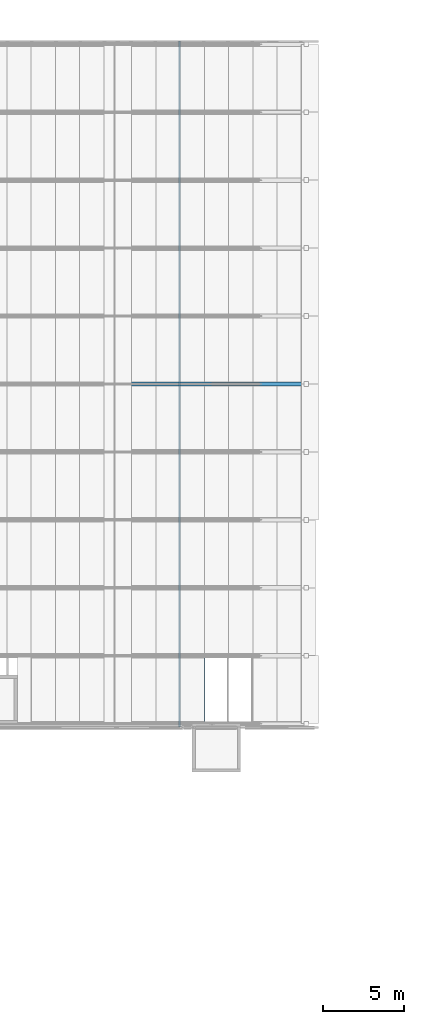
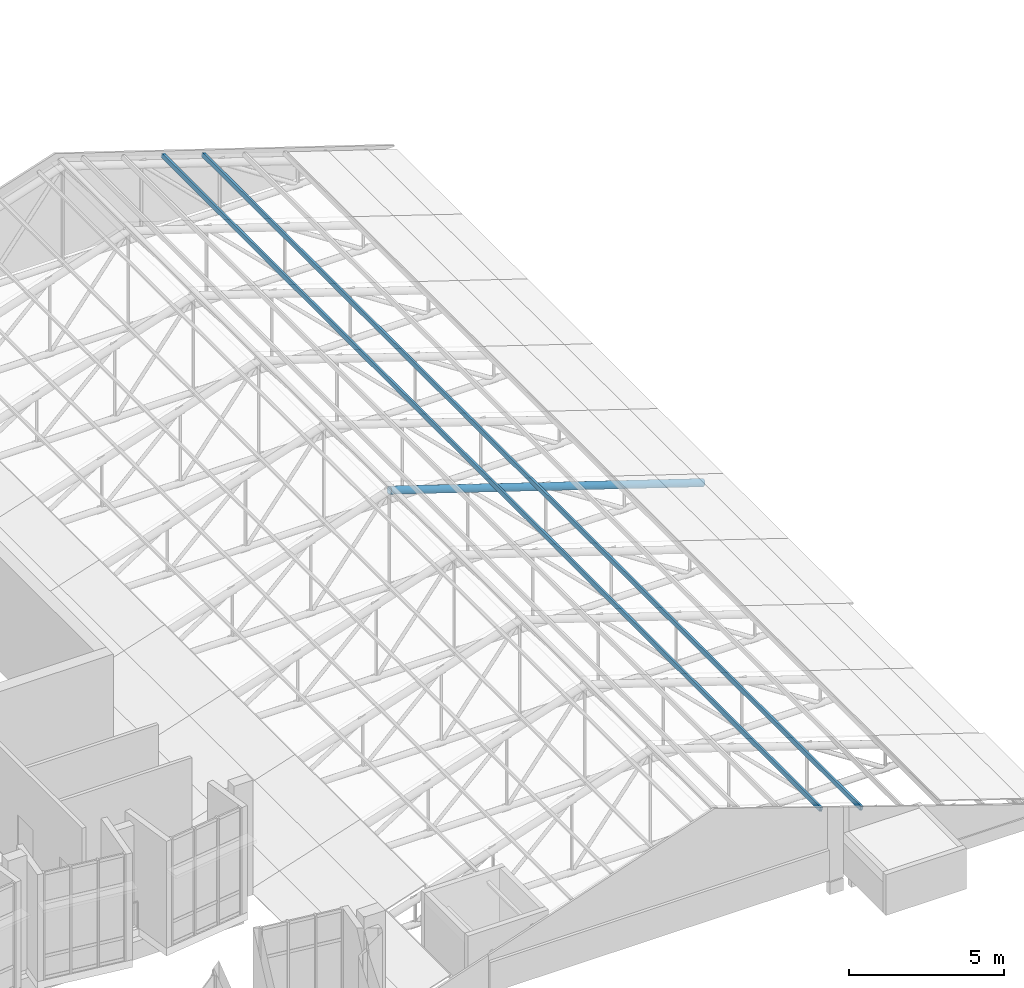
# One storey, part 34 of 95: 3 members.
"""IFC4 building model written with IfcOpenShell, lengths in metres."""

import ifcopenshell
import ifcopenshell.guid

model = None  # the IFC model being written
_history = None  # IfcOwnerHistory: only IFC2X3 demands one
_inside = {}  # id of a spatial element -> (the spatial element, [elements in it])
_under = {}  # id of a project, library or spatial element -> (it, [spatial elements below it])
_declared = {}  # id of a project -> (the project, [libraries it declares])
_typed = {}  # id of a type object -> (the type object, [elements of that type])
_made_of = {}  # id of a material, layer set ... -> (it, [elements and type objects made of it])


def new_model(schema):
    """Start an empty IFC model of exactly this schema.

    Asked for "IFC4X3", IfcOpenShell would pick the latest addendum, in which some entities
    have other attributes; the version numbers below select the first issue.
    IFC2X3 requires an IfcOwnerHistory on every rooted entity: one is made here for all.
    """
    global model, _history
    if schema == "IFC4X3":
        model = ifcopenshell.file(schema_version=(4, 3, 0, 0))
    else:
        model = ifcopenshell.file(schema=schema)
    _inside.clear()
    _under.clear()
    _declared.clear()
    _typed.clear()
    _made_of.clear()
    _history = None
    if model.schema == "IFC2X3":
        org = make("IfcOrganization", Name="unknown")
        user = make(
            "IfcPersonAndOrganization",
            ThePerson=make("IfcPerson", FamilyName="unknown"),
            TheOrganization=org,
        )
        app = make(
            "IfcApplication",
            ApplicationDeveloper=org,
            Version="unknown",
            ApplicationFullName="unknown",
            ApplicationIdentifier="unknown",
        )
        _history = make(
            "IfcOwnerHistory",
            OwningUser=user,
            OwningApplication=app,
            ChangeAction="ADDED",
            CreationDate=0,
        )
    return model


def make(cls, **values):
    """One entity of the class cls with the attributes given. An attribute that is None is left unset."""
    return model.create_entity(
        cls, **{name: value for name, value in values.items() if value is not None}
    )


def rooted(cls, **values):
    """An entity with a GlobalId (a new one), such as an element, a storey or a relation."""
    return make(cls, GlobalId=ifcopenshell.guid.new(), OwnerHistory=_history, **values)


def si_unit(unit_type, name, prefix=None):
    """IfcSIUnit, for example si_unit("LENGTHUNIT", "METRE", prefix="MILLI")."""
    return make("IfcSIUnit", UnitType=unit_type, Prefix=prefix, Name=name)


def assignment(units):
    """IfcUnitAssignment: the units of a project."""
    return None if units is None else make("IfcUnitAssignment", Units=units)


def point(xyz):
    """IfcCartesianPoint."""
    return None if xyz is None else make("IfcCartesianPoint", Coordinates=xyz)


def direction(xyz):
    """IfcDirection."""
    return None if xyz is None else make("IfcDirection", DirectionRatios=xyz)


def frame(location, z_axis=None, x_axis=None):
    """IfcAxis2Placement3D, a coordinate frame: its origin and axes. An axis left out is left unset."""
    return make(
        "IfcAxis2Placement3D",
        Location=point(location),
        Axis=direction(z_axis),
        RefDirection=direction(x_axis),
    )


def frame_2d(location, x_axis=None):
    """IfcAxis2Placement2D, a coordinate frame in the plane: its origin and x axis."""
    return make(
        "IfcAxis2Placement2D", Location=point(location), RefDirection=direction(x_axis)
    )


def origin():
    """The frame at (0, 0, 0) with its axes left unset."""
    return frame((0.0, 0.0, 0.0))


def origin_2d():
    """The frame at (0, 0) in the plane with its x axis left unset."""
    return frame_2d((0.0, 0.0))


def place(relative_to, where):
    """IfcLocalPlacement: puts the frame where relative to a parent placement (None: the world)."""
    return make(
        "IfcLocalPlacement", PlacementRelTo=relative_to, RelativePlacement=where
    )


def context(
    kind, dimensions, precision=None, world=None, true_north=None, identifier=None
):
    """IfcGeometricRepresentationContext, for example the 3D "Model" context."""
    return make(
        "IfcGeometricRepresentationContext",
        ContextIdentifier=identifier,
        ContextType=kind,
        CoordinateSpaceDimension=dimensions,
        Precision=precision,
        WorldCoordinateSystem=world,
        TrueNorth=true_north,
    )


def subcontext(parent, identifier, kind, view, scale=None):
    """IfcGeometricRepresentationSubContext, for example "Body" below "Model"."""
    return make(
        "IfcGeometricRepresentationSubContext",
        ContextIdentifier=identifier,
        ContextType=kind,
        ParentContext=parent,
        TargetScale=scale,
        TargetView=view,
    )


def project(units=None, contexts=None):
    """IfcProject with its units and contexts."""
    return rooted(
        "IfcProject",
        Name="project",
        RepresentationContexts=contexts,
        UnitsInContext=assignment(units),
    )


def spatial(cls, under=None, at=None, **own):
    """A site, building, storey or space (cls), placed at a placement, below another one or the project."""
    s = rooted(cls, ObjectPlacement=at, **own)
    if under is not None:
        _under.setdefault(under.id(), (under, []))[1].append(s)
    return s


def profile(cls, at=None, kind="AREA", **sizes):
    """A parametric profile (cls). Its sizes go by their IFC names, for example OverallWidth=200.0."""
    return make(cls, ProfileType=kind, Position=at, **sizes)


def hollow_rectangle(**sizes):
    """IfcRectangleHollowProfileDef."""
    return profile("IfcRectangleHollowProfileDef", **sizes)


def hollow_circle(**sizes):
    """IfcCircleHollowProfileDef."""
    return profile("IfcCircleHollowProfileDef", **sizes)


def extrude(swept, where, along, depth):
    """IfcExtrudedAreaSolid: the profile swept, set in the frame where, extruded along a direction by depth."""
    return make(
        "IfcExtrudedAreaSolid",
        SweptArea=swept,
        Position=where,
        ExtrudedDirection=direction(along),
        Depth=depth,
    )


def shape(context_of_items, identifier, shape_type, items):
    """IfcShapeRepresentation: the items that make up one representation, for example the "Body"."""
    return make(
        "IfcShapeRepresentation",
        ContextOfItems=context_of_items,
        RepresentationIdentifier=identifier,
        RepresentationType=shape_type,
        Items=items,
    )


def material(Name=None, Category=None):
    """IfcMaterial."""
    return make("IfcMaterial", Name=Name, Category=Category)


def material_profile(
    of_material, cross_section, Name=None, Category=None, Priority=None
):
    """IfcMaterialProfile: a cross section and its material."""
    return make(
        "IfcMaterialProfile",
        Name=Name,
        Material=of_material,
        Profile=cross_section,
        Priority=Priority,
        Category=Category,
    )


def profile_set(profiles, Name=None, composite=None):
    """IfcMaterialProfileSet."""
    return make(
        "IfcMaterialProfileSet",
        Name=Name,
        MaterialProfiles=profiles,
        CompositeProfile=composite,
    )


def made_of(thing, what):
    """Note that an element or type object is made of a material, layer set ...; save() writes the relation."""
    if what is not None:
        _made_of.setdefault(what.id(), (what, []))[1].append(thing)
    return thing


def type_object(cls, material=None, **own):
    """A type object (cls), such as IfcWallType, which elements share."""
    return made_of(rooted(cls, **own), material)


def element(
    cls,
    number,
    at=None,
    inside=None,
    cuts=None,
    type_object=None,
    material=None,
    context=None,
    identifier="Body",
    shape_type=None,
    held_by="IfcProductDefinitionShape",
    body=None,
    shapes=None,
    **own,
):
    """One element of the class cls, such as IfcWall. Its Tag is "e" and its number.

    at: its placement. inside: the storey or other place that contains it. cuts: it is an
    opening in that element (IfcRelVoidsElement). A single representation is given by context,
    identifier, shape_type and body (its items); several are given by shapes. held_by: the class
    of the entity that holds the representations. save() writes the other relations.
    """
    e = rooted(cls, Tag="e%d" % number, ObjectPlacement=at, **own)
    if body is not None:
        shapes = [shape(context, identifier, shape_type, body)]
    if shapes is not None:
        e.Representation = make(held_by, Representations=shapes)
    if inside is not None:
        _inside.setdefault(inside.id(), (inside, []))[1].append(e)
    if cuts is not None:
        rooted(
            "IfcRelVoidsElement", RelatingBuildingElement=cuts, RelatedOpeningElement=e
        )
    if type_object is not None:
        _typed.setdefault(type_object.id(), (type_object, []))[1].append(e)
    return made_of(e, material)


def aggregate(whole, parts):
    """IfcRelAggregates: a whole, such as a stair, and the parts it consists of."""
    return rooted("IfcRelAggregates", RelatingObject=whole, RelatedObjects=parts)


def save(model, path):
    """Write the relations noted so far, then the file.

    IfcRelAggregates (storeys below a building ...), IfcRelContainedInSpatialStructure (elements
    in a storey), IfcRelDefinesByType, IfcRelAssociatesMaterial and IfcRelDeclares: one each for
    every whole, place, type object, material and project.
    """
    for whole, parts in _under.values():
        aggregate(whole, parts)
    for where, things in _inside.values():
        rooted(
            "IfcRelContainedInSpatialStructure",
            RelatedElements=things,
            RelatingStructure=where,
        )
    for kind, things in _typed.values():
        rooted("IfcRelDefinesByType", RelatedObjects=things, RelatingType=kind)
    for what, things in _made_of.values():
        rooted("IfcRelAssociatesMaterial", RelatedObjects=things, RelatingMaterial=what)
    for by, libraries in _declared.values():
        rooted("IfcRelDeclares", RelatingContext=by, RelatedDefinitions=libraries)
    model.write(path)


model = new_model("IFC4")

# Units and contexts
model_context = context("Model", 3, precision=1e-05, world=origin(), true_north=direction((0.0, 1.0)))
body_context = subcontext(model_context, "Body", "Model", "MODEL_VIEW")
ifc_project = project(units=[si_unit("LENGTHUNIT", "METRE"), si_unit("AREAUNIT", "SQUARE_METRE"), si_unit("VOLUMEUNIT", "CUBIC_METRE"), si_unit("PLANEANGLEUNIT", "RADIAN"), si_unit("MASSUNIT", "GRAM", prefix="KILO")], contexts=[model_context])

# Site, building, storey
site_placement = place(None, origin())
site = spatial("IfcSite", under=ifc_project, at=site_placement, CompositionType="ELEMENT")
building_placement = place(site_placement, origin())
building = spatial("IfcBuilding", under=site, at=building_placement, Name="Kiln Court Media Centre", CompositionType="ELEMENT")
storey_placement = place(building_placement, frame((0.0, 0.0, 24.60009765625)))
storey = spatial("IfcBuildingStorey", under=building, at=storey_placement, Name="L05", CompositionType="ELEMENT", Elevation=24.60009765625)

# Members
ifc_material_1 = material(Name="Steel ASTM A500 Gr C", Category="steel")
ifc_material_profile_1 = material_profile(ifc_material_1, hollow_circle(Radius=0.136474609375, WallThickness=0.010009765625, at=origin_2d()), Name="CHS 273.0x10.0")
ifc_profile_set_1 = profile_set([ifc_material_profile_1], Name="Steel ASTM A500 Gr C")
member_type_1 = type_object("IfcMemberType", Name="Steel ASTM A500 Gr C CHS 273.0x10.0 truss chord", PredefinedType="CHORD", material=ifc_profile_set_1)
member_placement = place(storey_placement, frame((46.39990234375, 46.199951171875, 3.771484375), z_axis=(0.951055596592, 0.0, -0.309019824916), x_axis=(0.0, 1.0, 0.0)))
element("IfcMember", 1, at=member_placement, inside=storey, type_object=member_type_1, Name="foyer truss FT-06 east rafter truss chord", PredefinedType="CHORD", context=body_context, shape_type="SweptSolid", body=[
    extrude(hollow_circle(Radius=0.136474609375, WallThickness=0.010009765625, at=origin_2d()), origin(), (0.0, 0.0, 1.0), 12.249755859375),
])
ifc_material_2 = material(Name="Steel ASTM A500 Gr C", Category="steel")
ifc_material_profile_2 = material_profile(ifc_material_2, hollow_rectangle(XDim=0.10009765625, YDim=0.14990234375, WallThickness=0.008056640625, at=origin_2d()), Name="RHS 150x100x8.0")
ifc_profile_set_2 = profile_set([ifc_material_profile_2], Name="Steel ASTM A500 Gr C")
member_type_2 = type_object("IfcMemberType", Name="Steel ASTM A500 Gr C RHS 150x100x8.0 roof purlin", PredefinedType="PURLIN", material=ifc_profile_set_2)
for number, where, z_axis, x_axis, name in (
    (2, (51.714599609375, 25.005615234375, 2.264892578125), (0.0, 1.0, 0.0), (-0.951056516295, 0.0, 0.309016994375), "foyer roof east purlin 5 roof purlin"),
    (3, (50.214599609375, 25.005615234375, 2.752197265625), (0.0, 1.0, 0.0), (-0.951056516295, 0.0, 0.309016994375), "foyer roof east purlin 6 roof purlin"),
):
    element("IfcMember", number, at=place(storey_placement, frame(where, z_axis=z_axis, x_axis=x_axis)), inside=storey, type_object=member_type_2, Name=name, PredefinedType="PURLIN", context=body_context, shape_type="SweptSolid", body=[
        extrude(hollow_rectangle(XDim=0.10009765625, YDim=0.14990234375, WallThickness=0.008056640625, at=origin_2d()), origin(), (0.0, 0.0, 1.0), 42.388916015625),
    ])

save(model, "model.ifc")
